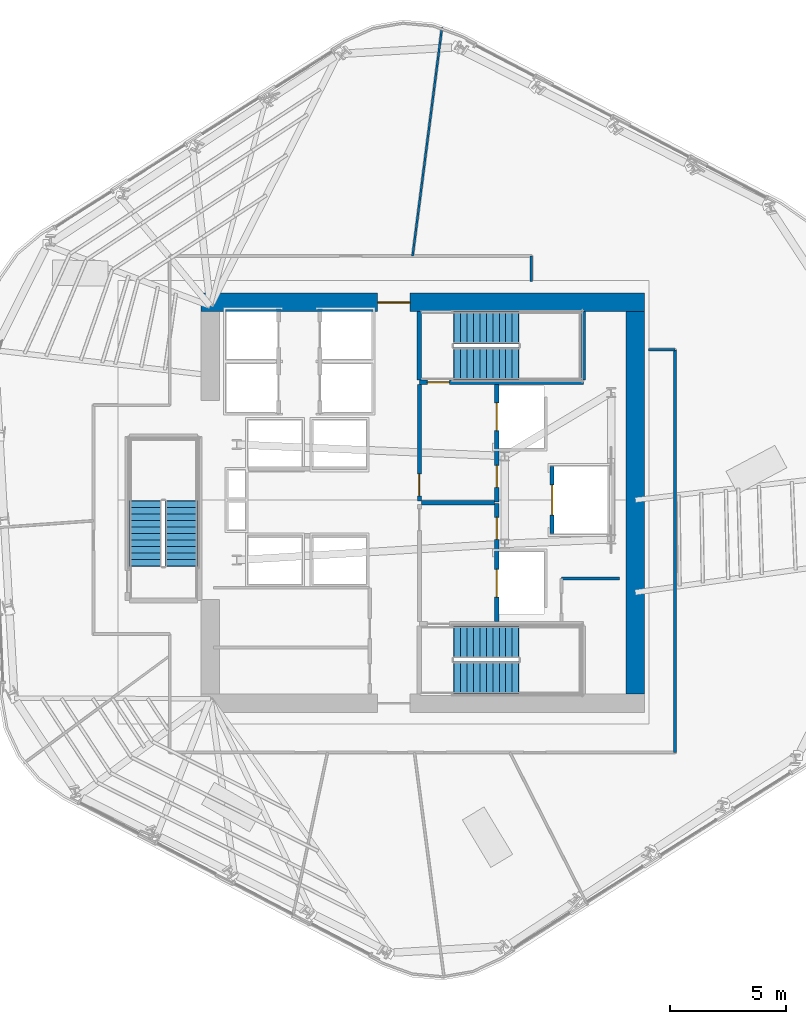
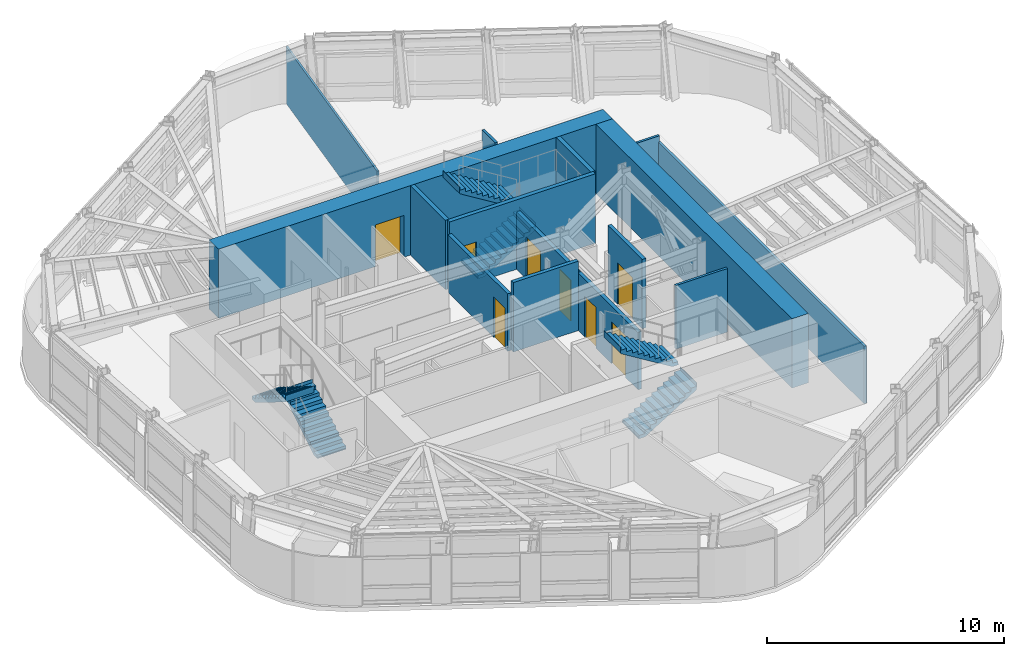
# One storey, part 9 of 15: 15 walls, 8 doors, 6 stair flights, 8 openings, 3 elements without a shape of their own.
"""IFC4 building model written with IfcOpenShell, lengths in metres."""

from ifc_helpers import new_model, si_unit, direction, frame, frame_2d, origin, place, context, subcontext, project, spatial, polyline, rectangle, outline, extrude, material, layer, layer_set, type_object, element, fill, aggregate, save


model = new_model("IFC4")

# Units and contexts
model_context = context("Model", 3, precision=1e-05, world=origin(), true_north=direction((0.0, 1.0)))
body_context = subcontext(model_context, "Body", "Model", "MODEL_VIEW")
ifc_project = project(units=[si_unit("LENGTHUNIT", "METRE"), si_unit("AREAUNIT", "SQUARE_METRE"), si_unit("VOLUMEUNIT", "CUBIC_METRE"), si_unit("PLANEANGLEUNIT", "RADIAN"), si_unit("MASSUNIT", "GRAM", prefix="KILO")], contexts=[model_context])

# Site, building, storey
site_placement = place(None, origin())
site = spatial("IfcSite", under=ifc_project, at=site_placement, CompositionType="ELEMENT")
building_placement = place(site_placement, origin())
building = spatial("IfcBuilding", under=site, at=building_placement, Name="Valkerne Bourse Tower", CompositionType="ELEMENT")
storey_placement = place(building_placement, frame((0.0, 0.0, 162.800048828125)))
storey = spatial("IfcBuildingStorey", under=building, at=storey_placement, Name="L41", CompositionType="ELEMENT", Elevation=162.800048828125)

# Wall, opening, door
ifc_material_1 = material(Name="Concrete C55/67", Category="concrete")
ifc_layer_1 = layer(ifc_material_1, 0.800048828125)
ifc_layer_set_1 = layer_set([ifc_layer_1], Name="Concrete C55/67")
wall_type_1 = type_object("IfcWallType", Name="W-CORE-800", PredefinedType="SHEAR", material=ifc_layer_set_1)
wall_1_placement = place(storey_placement, frame((37.199951171875, 35.550048828125, 0.0), z_axis=(0.0, 0.0, 1.0), x_axis=(1.0, 0.0, 0.0)))
wall_1 = element("IfcWall", 1, at=wall_1_placement, inside=storey, type_object=wall_type_1, Name="L41 Core Shear Wall NORTH", PredefinedType="SHEAR", context=body_context, shape_type="SweptSolid", body=[
    extrude(rectangle(XDim=19.199951171875, YDim=0.800048828125, at=frame_2d((9.60009765625, 0.0))), origin(), (0.0, 0.0, 1.0), 3.579833984375),
])
opening_1_placement = place(wall_1_placement, frame((7.64990234375, 0.0, 0.0)))
opening_1 = element("IfcOpeningElement", 2, at=opening_1_placement, cuts=wall_1, Name="Opening D-PL-1400", PredefinedType="OPENING", context=body_context, shape_type="SweptSolid", body=[
    extrude(rectangle(XDim=1.39990234375, YDim=2.14990234375, at=frame_2d((0.699951171875, 1.074951171875))), frame((0.0, 0.409912109375, 0.0), z_axis=(0.0, -1.0, 0.0), x_axis=(1.0, 0.0, 0.0)), (0.0, 0.0, 1.0), 0.820068359375),
])
ifc_material_2 = material(Name="Galvanised Painted Steel", Category="steel")
door_type_1 = type_object("IfcDoorType", Name="DR-PLT-1400", OperationType="DOUBLE_DOOR_SINGLE_SWING", PredefinedType="DOOR", material=ifc_material_2)
door_1_placement = place(opening_1_placement, origin())
door_1 = element("IfcDoor", 3, at=door_1_placement, inside=storey, type_object=door_type_1, Name="L41 North Passenger Lift Hall Fire Door", OperationType="DOUBLE_DOOR_SINGLE_SWING", OverallHeight=2.14990234375, OverallWidth=1.39990234375, PredefinedType="DOOR", context=body_context, shape_type="SweptSolid", body=[
    extrude(rectangle(XDim=1.39990234375, YDim=2.14990234375, at=frame_2d((0.699951171875, 1.074951171875))), frame((0.0, 0.02490234375, 0.0), z_axis=(0.0, -1.0, 0.0), x_axis=(1.0, 0.0, 0.0)), (0.0, 0.0, 1.0), 0.050048828125),
])
fill(opening_1, door_1)

# Walls
wall_2_placement = place(storey_placement, frame((56.0, 18.60009765625, 0.0), z_axis=(0.0, 0.0, 1.0), x_axis=(0.0, 1.0, 0.0)))
element("IfcWall", 4, at=wall_2_placement, inside=storey, type_object=wall_type_1, Name="L41 Core Shear Wall EAST", PredefinedType="SHEAR", context=body_context, shape_type="SweptSolid", body=[
    extrude(rectangle(XDim=16.5498046875, YDim=0.800048828125, at=frame_2d((8.27490234375, 0.0))), origin(), (0.0, 0.0, 1.0), 3.579833984375),
])
ifc_material_3 = material(Name="Gypsum Board Steel-Stud Partition", Category="steel")
ifc_layer_2 = layer(ifc_material_3, 0.117919921875)
ifc_layer_set_2 = layer_set([ifc_layer_2], Name="Gypsum Board Steel-Stud Partition")
wall_type_2 = type_object("IfcWallType", Name="W-CORR-140", PredefinedType="PARTITIONING", material=ifc_layer_set_2)
wall_3_placement = place(storey_placement, frame((52.800048828125, 23.60009765625, 0.0), z_axis=(0.0, 0.0, 1.0), x_axis=(1.0, 0.0, 0.0)))
element("IfcWall", 5, at=wall_3_placement, inside=storey, type_object=wall_type_2, Name="L41 Core SE South-Bay North Wall", PredefinedType="PARTITIONING", context=body_context, shape_type="SweptSolid", body=[
    extrude(rectangle(XDim=2.52001953125, YDim=0.117919921875, at=frame_2d((1.260009765625, 0.0))), origin(), (0.0, 0.0, 1.0), 3.280029296875),
])
wall_4_placement = place(storey_placement, frame((51.5, 37.56005859375, 0.0), z_axis=(0.0, 0.0, 1.0), x_axis=(0.0, -1.0, 0.0)))
element("IfcWall", 6, at=wall_4_placement, inside=storey, type_object=wall_type_2, Name="L41 Corridor Enclosure Wall", PredefinedType="PARTITIONING", context=body_context, shape_type="SweptSolid", body=[
    extrude(rectangle(XDim=1.10009765625, YDim=0.117919921875, at=frame_2d((0.550048828125, 0.0))), origin(), (0.0, 0.0, 1.0), 3.280029296875),
])
wall_5_placement = place(storey_placement, frame((56.56005859375, 33.5, 0.0), z_axis=(0.0, 0.0, 1.0), x_axis=(1.0, 0.0, 0.0)))
element("IfcWall", 7, at=wall_5_placement, inside=storey, type_object=wall_type_2, Name="L41 Corridor Enclosure Wall", PredefinedType="PARTITIONING", context=body_context, shape_type="SweptSolid", body=[
    extrude(rectangle(XDim=1.159912109375, YDim=0.117919921875, at=frame_2d((0.580078125, 0.0))), origin(), (0.0, 0.0, 1.0), 3.280029296875),
])
wall_6_placement = place(storey_placement, frame((57.719970703125, 33.5, 0.0), z_axis=(0.0, 0.0, 1.0), x_axis=(0.0, -1.0, 0.0)))
element("IfcWall", 8, at=wall_6_placement, inside=storey, type_object=wall_type_2, Name="L41 Corridor Enclosure Wall", PredefinedType="PARTITIONING", context=body_context, shape_type="SweptSolid", body=[
    extrude(rectangle(XDim=17.419921875, YDim=0.117919921875, at=frame_2d((8.7099609375, 0.0))), origin(), (0.0, 0.0, 1.0), 2.962890625),
])
ifc_material_4 = material(Name="Gypsum Fire-Rated Shaftwall", Category="gypsum")
ifc_layer_3 = layer(ifc_material_4, 0.179931640625)
ifc_layer_set_3 = layer_set([ifc_layer_3], Name="Gypsum Fire-Rated Shaftwall")
wall_type_3 = type_object("IfcWallType", Name="W-FSAE-180", PredefinedType="PARTITIONING", material=ifc_layer_set_3)
wall_7_placement = place(storey_placement, frame((46.739990234375, 26.8798828125, 0.0), z_axis=(0.0, 0.0, 1.0), x_axis=(1.0, 0.0, 0.0)))
element("IfcWall", 9, at=wall_7_placement, inside=storey, type_object=wall_type_3, Name="L41 FSAE-1/2 Lobby Dividing Fire Wall", PredefinedType="PARTITIONING", context=body_context, shape_type="SweptSolid", body=[
    extrude(rectangle(XDim=3.169921875, YDim=0.179931640625, at=frame_2d((1.5849609375, 0.0))), origin(), (0.0, 0.0, 1.0), 3.579833984375),
])

# Wall, opening, door
wall_8_placement = place(storey_placement, frame((46.64990234375, 26.9599609375, 0.0), z_axis=(0.0, 0.0, 1.0), x_axis=(0.0, 1.0, 0.0)))
wall_8 = element("IfcWall", 10, at=wall_8_placement, inside=storey, type_object=wall_type_3, Name="L41 FSAE-2 Lobby West Fire Wall", PredefinedType="PARTITIONING", context=body_context, shape_type="SweptSolid", body=[
    extrude(rectangle(XDim=5.0400390625, YDim=0.179931640625, at=frame_2d((2.52001953125, 0.0))), origin(), (0.0, 0.0, 1.0), 2.957763671875),
])
opening_2_placement = place(wall_8_placement, frame((0.219970703125, 0.0, 0.0)))
opening_2 = element("IfcOpeningElement", 11, at=opening_2_placement, cuts=wall_8, Name="Opening D-FS-950", PredefinedType="OPENING", context=body_context, shape_type="SweptSolid", body=[
    extrude(rectangle(XDim=0.949951171875, YDim=2.10009765625, at=frame_2d((0.47509765625, 1.050048828125))), frame((0.0, 0.099853515625, 0.0), z_axis=(0.0, -1.0, 0.0), x_axis=(1.0, 0.0, 0.0)), (0.0, 0.0, 1.0), 0.199951171875),
])
door_type_2 = type_object("IfcDoorType", Name="DR-FSAE-950", OperationType="NOTDEFINED", PredefinedType="DOOR", material=ifc_material_2)
door_2_placement = place(opening_2_placement, origin())
door_2 = element("IfcDoor", 12, at=door_2_placement, inside=storey, type_object=door_type_2, Name="L41 FSAE-2 Hall Link Fire Door", OperationType="SINGLE_SWING_RIGHT", OverallHeight=2.10009765625, OverallWidth=0.949951171875, PredefinedType="DOOR", context=body_context, shape_type="SweptSolid", body=[
    extrude(rectangle(XDim=0.949951171875, YDim=2.10009765625, at=frame_2d((0.47509765625, 1.050048828125))), frame((0.0, 0.02490234375, 0.0), z_axis=(0.0, -1.0, 0.0), x_axis=(1.0, 0.0, 0.0)), (0.0, 0.0, 1.0), 0.050048828125),
])
fill(opening_2, door_2)

# Wall, openings, doors
wall_9_placement = place(storey_placement, frame((50.0, 21.75, 0.0), z_axis=(0.0, 0.0, 1.0), x_axis=(0.0, 1.0, 0.0)))
wall_9 = element("IfcWall", 13, at=wall_9_placement, inside=storey, type_object=wall_type_3, Name="L41 FSAE-1 Lobby & Shaft Front Wall", PredefinedType="PARTITIONING", context=body_context, shape_type="SweptSolid", body=[
    extrude(rectangle(XDim=5.090087890625, YDim=0.179931640625, at=frame_2d((2.544921875, 0.0))), origin(), (0.0, 0.0, 1.0), 2.957763671875),
])
opening_3_placement = place(wall_9_placement, frame((1.050048828125, 0.0, 0.0)))
opening_3 = element("IfcOpeningElement", 14, at=opening_3_placement, cuts=wall_9, Name="Opening LD-1200", PredefinedType="OPENING", context=body_context, shape_type="SweptSolid", body=[
    extrude(rectangle(XDim=1.199951171875, YDim=2.14990234375, at=frame_2d((0.60009765625, 1.074951171875))), frame((0.0, 0.099853515625, 0.0), z_axis=(0.0, -1.0, 0.0), x_axis=(1.0, 0.0, 0.0)), (0.0, 0.0, 1.0), 0.199951171875),
])
opening_4_placement = place(wall_9_placement, frame((3.550048828125, 0.0, 0.0)))
opening_4 = element("IfcOpeningElement", 15, at=opening_4_placement, cuts=wall_9, Name="Opening D-FS-950", PredefinedType="OPENING", context=body_context, shape_type="SweptSolid", body=[
    extrude(rectangle(XDim=0.949951171875, YDim=2.10009765625, at=frame_2d((0.47509765625, 1.050048828125))), frame((0.0, 0.099853515625, 0.0), z_axis=(0.0, -1.0, 0.0), x_axis=(1.0, 0.0, 0.0)), (0.0, 0.0, 1.0), 0.199951171875),
])
door_3_placement = place(opening_4_placement, origin())
door_3 = element("IfcDoor", 16, at=door_3_placement, inside=storey, type_object=door_type_2, Name="L41 FSAE-1 Lobby Corridor Fire Door", OperationType="SINGLE_SWING_RIGHT", OverallHeight=2.10009765625, OverallWidth=0.949951171875, PredefinedType="DOOR", context=body_context, shape_type="SweptSolid", body=[
    extrude(rectangle(XDim=0.949951171875, YDim=2.10009765625, at=frame_2d((0.47509765625, 1.050048828125))), frame((0.0, 0.02490234375, 0.0), z_axis=(0.0, -1.0, 0.0), x_axis=(1.0, 0.0, 0.0)), (0.0, 0.0, 1.0), 0.050048828125),
])
fill(opening_4, door_3)
ifc_material_5 = material(Name="Stainless Steel AISI 316", Category="steel")
door_type_3 = type_object("IfcDoorType", Name="DR-LIFT-1200", OperationType="DOUBLE_DOOR_SLIDING", PredefinedType="DOOR", material=ifc_material_5)
door_4_placement = place(opening_3_placement, origin())
door_4 = element("IfcDoor", 17, at=door_4_placement, inside=storey, type_object=door_type_3, Name="L41 FSAE-1 Firefighting Lift Landing Door", OperationType="DOUBLE_DOOR_SLIDING", OverallHeight=2.14990234375, OverallWidth=1.199951171875, PredefinedType="DOOR", context=body_context, shape_type="SweptSolid", body=[
    extrude(rectangle(XDim=1.199951171875, YDim=2.14990234375, at=frame_2d((0.60009765625, 1.074951171875))), frame((0.0, 0.02490234375, 0.0), z_axis=(0.0, -1.0, 0.0), x_axis=(1.0, 0.0, 0.0)), (0.0, 0.0, 1.0), 0.050048828125),
])
fill(opening_3, door_4)

wall_10_placement = place(storey_placement, frame((50.0, 26.919921875, 0.0), z_axis=(0.0, 0.0, 1.0), x_axis=(0.0, 1.0, 0.0)))
wall_10 = element("IfcWall", 18, at=wall_10_placement, inside=storey, type_object=wall_type_3, Name="L41 FSAE-2 Lobby & Shaft Front Wall", PredefinedType="PARTITIONING", context=body_context, shape_type="SweptSolid", body=[
    extrude(rectangle(XDim=5.080078125, YDim=0.179931640625, at=frame_2d((2.5400390625, 0.0))), origin(), (0.0, 0.0, 1.0), 2.957763671875),
])
opening_5_placement = place(wall_10_placement, frame((3.080078125, 0.0, 0.0)))
opening_5 = element("IfcOpeningElement", 19, at=opening_5_placement, cuts=wall_10, Name="Opening LD-1200", PredefinedType="OPENING", context=body_context, shape_type="SweptSolid", body=[
    extrude(rectangle(XDim=1.199951171875, YDim=2.14990234375, at=frame_2d((0.60009765625, 1.074951171875))), frame((0.0, 0.099853515625, 0.0), z_axis=(0.0, -1.0, 0.0), x_axis=(1.0, 0.0, 0.0)), (0.0, 0.0, 1.0), 0.199951171875),
])
opening_6_placement = place(wall_10_placement, frame((0.6298828125, 0.0, 0.0)))
opening_6 = element("IfcOpeningElement", 20, at=opening_6_placement, cuts=wall_10, Name="Opening D-FS-950", PredefinedType="OPENING", context=body_context, shape_type="SweptSolid", body=[
    extrude(rectangle(XDim=0.949951171875, YDim=2.10009765625, at=frame_2d((0.47509765625, 1.050048828125))), frame((0.0, 0.099853515625, 0.0), z_axis=(0.0, -1.0, 0.0), x_axis=(1.0, 0.0, 0.0)), (0.0, 0.0, 1.0), 0.199951171875),
])
door_5_placement = place(opening_6_placement, origin())
door_5 = element("IfcDoor", 21, at=door_5_placement, inside=storey, type_object=door_type_2, Name="L41 FSAE-2 Lobby Corridor Fire Door", OperationType="SINGLE_SWING_RIGHT", OverallHeight=2.10009765625, OverallWidth=0.949951171875, PredefinedType="DOOR", context=body_context, shape_type="SweptSolid", body=[
    extrude(rectangle(XDim=0.949951171875, YDim=2.10009765625, at=frame_2d((0.47509765625, 1.050048828125))), frame((0.0, 0.02490234375, 0.0), z_axis=(0.0, -1.0, 0.0), x_axis=(1.0, 0.0, 0.0)), (0.0, 0.0, 1.0), 0.050048828125),
])
fill(opening_6, door_5)
door_6_placement = place(opening_5_placement, origin())
door_6 = element("IfcDoor", 22, at=door_6_placement, inside=storey, type_object=door_type_3, Name="L41 FSAE-2 Firefighting Lift Landing Door", OperationType="DOUBLE_DOOR_SLIDING", OverallHeight=2.14990234375, OverallWidth=1.199951171875, PredefinedType="DOOR", context=body_context, shape_type="SweptSolid", body=[
    extrude(rectangle(XDim=1.199951171875, YDim=2.14990234375, at=frame_2d((0.60009765625, 1.074951171875))), frame((0.0, 0.02490234375, 0.0), z_axis=(0.0, -1.0, 0.0), x_axis=(1.0, 0.0, 0.0)), (0.0, 0.0, 1.0), 0.050048828125),
])
fill(opening_5, door_6)

# Wall, opening, door
ifc_material_6 = material(Name="CMU Blockwork Masonry 200mm", Category="masonry")
ifc_layer_4 = layer(ifc_material_6, 0.179931640625)
ifc_layer_set_4 = layer_set([ifc_layer_4], Name="CMU Blockwork Masonry 200mm")
wall_type_4 = type_object("IfcWallType", Name="W-LFT-180", PredefinedType="SOLIDWALL", material=ifc_layer_set_4)
wall_11_placement = place(storey_placement, frame((52.39990234375, 25.550048828125, 0.0), z_axis=(0.0, 0.0, 1.0), x_axis=(0.0, 1.0, 0.0)))
wall_11 = element("IfcWall", 23, at=wall_11_placement, inside=storey, type_object=wall_type_4, Name="L41 Service Lift SV-1 Front Wall", PredefinedType="SOLIDWALL", context=body_context, shape_type="SweptSolid", body=[
    extrude(rectangle(XDim=2.89990234375, YDim=0.179931640625, at=frame_2d((1.449951171875, 0.0))), origin(), (0.0, 0.0, 1.0), 3.579833984375),
])
opening_7_placement = place(wall_11_placement, frame((0.800048828125, 0.0, 0.0)))
opening_7 = element("IfcOpeningElement", 24, at=opening_7_placement, cuts=wall_11, Name="Opening LD-1300", PredefinedType="OPENING", context=body_context, shape_type="SweptSolid", body=[
    extrude(rectangle(XDim=1.300048828125, YDim=2.14990234375, at=frame_2d((0.64990234375, 1.074951171875))), frame((0.0, 0.099853515625, 0.0), z_axis=(0.0, -1.0, 0.0), x_axis=(1.0, 0.0, 0.0)), (0.0, 0.0, 1.0), 0.199951171875),
])
door_type_4 = type_object("IfcDoorType", Name="DR-LIFT-1300", OperationType="DOUBLE_DOOR_SLIDING", PredefinedType="DOOR", material=ifc_material_5)
door_7_placement = place(opening_7_placement, origin())
door_7 = element("IfcDoor", 25, at=door_7_placement, inside=storey, type_object=door_type_4, Name="L41 Service Lift SV-1 Landing Door", OperationType="DOUBLE_DOOR_SLIDING", OverallHeight=2.14990234375, OverallWidth=1.300048828125, PredefinedType="DOOR", context=body_context, shape_type="SweptSolid", body=[
    extrude(rectangle(XDim=1.300048828125, YDim=2.14990234375, at=frame_2d((0.64990234375, 1.074951171875))), frame((0.0, 0.02490234375, 0.0), z_axis=(0.0, -1.0, 0.0), x_axis=(1.0, 0.0, 0.0)), (0.0, 0.0, 1.0), 0.050048828125),
])
fill(opening_7, door_7)

# Wall
ifc_layer_5 = layer(ifc_material_3, 0.092041015625)
ifc_layer_set_5 = layer_set([ifc_layer_5], Name="Gypsum Board Steel-Stud Partition")
wall_type_5 = type_object("IfcWallType", Name="W-PART-115", PredefinedType="PARTITIONING", material=ifc_layer_set_5)
wall_12_placement = place(storey_placement, frame((46.3583984375, 37.56494140625, 0.0), z_axis=(0.0, 0.0, 1.0), x_axis=(0.127544797482, 0.991832810828, 0.0)))
element("IfcWall", 26, at=wall_12_placement, inside=storey, type_object=wall_type_5, Name="L41 Suite Partition P04", PredefinedType="PARTITIONING", context=body_context, shape_type="SweptSolid", body=[
    extrude(rectangle(XDim=9.970947265625, YDim=0.092041015625, at=frame_2d((4.9853515625, 0.0))), origin(), (0.0, 0.0, 1.0), 2.942626953125),
])

# Wall, opening, door
ifc_material_7 = material(Name="Concrete C40/50", Category="concrete")
ifc_layer_6 = layer(ifc_material_7, 0.199951171875)
ifc_layer_set_6 = layer_set([ifc_layer_6], Name="Concrete C40/50")
wall_type_6 = type_object("IfcWallType", Name="W-SHF-200", PredefinedType="SHEAR", material=ifc_layer_set_6)
wall_13_placement = place(storey_placement, frame((46.64990234375, 32.10009765625, 0.0), z_axis=(0.0, 0.0, 1.0), x_axis=(1.0, 0.0, 0.0)))
wall_13 = element("IfcWall", 27, at=wall_13_placement, inside=storey, type_object=wall_type_6, Name="L41 Exit Stair ST-2 Structural Shaft Wall South", PredefinedType="SHEAR", context=body_context, shape_type="SweptSolid", body=[
    extrude(rectangle(XDim=7.10009765625, YDim=0.199951171875, at=frame_2d((3.550048828125, 0.0))), origin(), (0.0, 0.0, 1.0), 3.579833984375),
])
opening_8_placement = place(wall_13_placement, frame((0.35009765625, 0.0, 0.0)))
opening_8 = element("IfcOpeningElement", 28, at=opening_8_placement, cuts=wall_13, Name="Opening D-ST-950", PredefinedType="OPENING", context=body_context, shape_type="SweptSolid", body=[
    extrude(rectangle(XDim=0.949951171875, YDim=2.10009765625, at=frame_2d((0.47509765625, 1.050048828125))), frame((0.0, 0.10986328125, 0.0), z_axis=(0.0, -1.0, 0.0), x_axis=(1.0, 0.0, 0.0)), (0.0, 0.0, 1.0), 0.219970703125),
])
door_type_5 = type_object("IfcDoorType", Name="DR-STAIR-950", OperationType="NOTDEFINED", PredefinedType="DOOR", material=ifc_material_2)
door_8_placement = place(opening_8_placement, origin())
door_8 = element("IfcDoor", 29, at=door_8_placement, inside=storey, type_object=door_type_5, Name="L41 Exit Stair ST-2 Door", OperationType="SINGLE_SWING_LEFT", OverallHeight=2.10009765625, OverallWidth=0.949951171875, PredefinedType="DOOR", context=body_context, shape_type="SweptSolid", body=[
    extrude(rectangle(XDim=0.949951171875, YDim=2.10009765625, at=frame_2d((0.47509765625, 1.050048828125))), frame((0.0, 0.02490234375, 0.0), z_axis=(0.0, -1.0, 0.0), x_axis=(1.0, 0.0, 0.0)), (0.0, 0.0, 1.0), 0.050048828125),
])
fill(opening_8, door_8)

# Walls
for number, where, z_axis, x_axis, name in (
    (30, (46.64990234375, 32.199951171875, 0.0), (0.0, 0.0, 1.0), (0.0, 1.0, 0.0), "L41 Exit Stair ST-2 Structural Shaft Wall West"),
    (31, (53.75, 32.199951171875, 0.0), (0.0, 0.0, 1.0), (0.0, 1.0, 0.0), "L41 Exit Stair ST-2 Structural Shaft Wall East"),
):
    element("IfcWall", number, at=place(storey_placement, frame(where, z_axis=z_axis, x_axis=x_axis)), inside=storey, type_object=wall_type_6, Name=name, PredefinedType="SHEAR", context=body_context, shape_type="SweptSolid", body=[
        extrude(rectangle(XDim=2.949951171875, YDim=0.199951171875, at=frame_2d((1.47509765625, 0.0))), origin(), (0.0, 0.0, 1.0), 3.579833984375),
    ])

# Stair, stair flights
stair_type = type_object("IfcStairType", Name="ST-CORE-1400", PredefinedType="HALF_TURN_STAIR", material=ifc_material_7)
stair_1_placement = place(storey_placement, origin())
stair_1 = element("IfcStair", 32, at=stair_1_placement, inside=storey, type_object=stair_type, Name="L41 ST-1", PredefinedType="HALF_TURN_STAIR")
stair_flight_type = type_object("IfcStairFlightType", Name="STF-CORE-1400", PredefinedType="STRAIGHT", material=ifc_material_7)
stair_flight_1_placement = place(storey_placement, frame((48.14990234375, 19.300048828125, 0.0), z_axis=(0.0, 0.0, 1.0), x_axis=(1.0, 0.0, 0.0)))
stair_flight_1 = element("IfcStairFlight", 33, at=stair_flight_1_placement, type_object=stair_flight_type, Name="ST-1 flight 1", NumberOfRisers=11, NumberOfTreads=10, PredefinedType="STRAIGHT", RiserHeight=0.172727273, TreadLength=0.28, context=body_context, shape_type="SweptSolid", body=[
    extrude(outline(polyline([(-0.02001953125, 0.0), (-0.02001953125, 0.044921875), (0.0, 0.044921875), (0.0, 0.172607421875), (0.280029296875, 0.172607421875), (0.280029296875, 0.345458984375), (0.56005859375, 0.345458984375), (0.56005859375, 0.51806640625), (0.840087890625, 0.51806640625), (0.840087890625, 0.69091796875), (1.1201171875, 0.69091796875), (1.1201171875, 0.863525390625), (1.39990234375, 0.863525390625), (1.39990234375, 1.036376953125), (1.679931640625, 1.036376953125), (1.679931640625, 1.208984375), (1.9599609375, 1.208984375), (1.9599609375, 1.3818359375), (2.239990234375, 1.3818359375), (2.239990234375, 1.554443359375), (2.52001953125, 1.554443359375), (2.52001953125, 1.727294921875), (2.800048828125, 1.727294921875), (2.800048828125, 1.89990234375), (2.820068359375, 1.89990234375), (2.820068359375, 1.780029296875), (2.800048828125, 1.551025390625), (0.285400390625, 0.0), (-0.02001953125, 0.0)])), frame((0.0, 0.699951171875, 0.0), z_axis=(0.0, -1.0, 0.0), x_axis=(1.0, 0.0, 0.0)), (0.0, 0.0, 1.0), 1.39990234375),
])
stair_flight_2_placement = place(storey_placement, frame((50.949951171875, 20.85009765625, 1.89990234375), z_axis=(0.0, 0.0, 1.0), x_axis=(-1.0, 0.0, 0.0)))
stair_flight_2 = element("IfcStairFlight", 34, at=stair_flight_2_placement, type_object=stair_flight_type, Name="ST-1 flight 2", NumberOfRisers=11, NumberOfTreads=10, PredefinedType="STRAIGHT", RiserHeight=0.172727273, TreadLength=0.28, context=body_context, shape_type="SweptSolid", body=[
    extrude(outline(polyline([(-0.02001953125, 0.0), (-0.02001953125, 0.044921875), (0.0, 0.044921875), (0.0, 0.172607421875), (0.280029296875, 0.172607421875), (0.280029296875, 0.345458984375), (0.56005859375, 0.345458984375), (0.56005859375, 0.51806640625), (0.840087890625, 0.51806640625), (0.840087890625, 0.69091796875), (1.1201171875, 0.69091796875), (1.1201171875, 0.863525390625), (1.39990234375, 0.863525390625), (1.39990234375, 1.036376953125), (1.679931640625, 1.036376953125), (1.679931640625, 1.208984375), (1.9599609375, 1.208984375), (1.9599609375, 1.3818359375), (2.239990234375, 1.3818359375), (2.239990234375, 1.554443359375), (2.52001953125, 1.554443359375), (2.52001953125, 1.727294921875), (2.800048828125, 1.727294921875), (2.800048828125, 1.89990234375), (2.820068359375, 1.89990234375), (2.820068359375, 1.780029296875), (2.800048828125, 1.551025390625), (0.285400390625, 0.0), (-0.02001953125, 0.0)])), frame((0.0, 0.699951171875, 0.0), z_axis=(0.0, -1.0, 0.0), x_axis=(1.0, 0.0, 0.0)), (0.0, 0.0, 1.0), 1.39990234375),
])
aggregate(stair_1, [stair_flight_1, stair_flight_2])

stair_2_placement = place(storey_placement, origin())
stair_2 = element("IfcStair", 35, at=stair_2_placement, inside=storey, type_object=stair_type, Name="L41 ST-2", PredefinedType="HALF_TURN_STAIR")
stair_flight_3_placement = place(storey_placement, frame((48.14990234375, 32.89990234375, 0.0), z_axis=(0.0, 0.0, 1.0), x_axis=(1.0, 0.0, 0.0)))
stair_flight_3 = element("IfcStairFlight", 36, at=stair_flight_3_placement, type_object=stair_flight_type, Name="ST-2 flight 1", NumberOfRisers=11, NumberOfTreads=10, PredefinedType="STRAIGHT", RiserHeight=0.172727273, TreadLength=0.28, context=body_context, shape_type="SweptSolid", body=[
    extrude(outline(polyline([(-0.02001953125, 0.0), (-0.02001953125, 0.044921875), (0.0, 0.044921875), (0.0, 0.172607421875), (0.280029296875, 0.172607421875), (0.280029296875, 0.345458984375), (0.56005859375, 0.345458984375), (0.56005859375, 0.51806640625), (0.840087890625, 0.51806640625), (0.840087890625, 0.69091796875), (1.1201171875, 0.69091796875), (1.1201171875, 0.863525390625), (1.39990234375, 0.863525390625), (1.39990234375, 1.036376953125), (1.679931640625, 1.036376953125), (1.679931640625, 1.208984375), (1.9599609375, 1.208984375), (1.9599609375, 1.3818359375), (2.239990234375, 1.3818359375), (2.239990234375, 1.554443359375), (2.52001953125, 1.554443359375), (2.52001953125, 1.727294921875), (2.800048828125, 1.727294921875), (2.800048828125, 1.89990234375), (2.820068359375, 1.89990234375), (2.820068359375, 1.780029296875), (2.800048828125, 1.551025390625), (0.285400390625, 0.0), (-0.02001953125, 0.0)])), frame((0.0, 0.699951171875, 0.0), z_axis=(0.0, -1.0, 0.0), x_axis=(1.0, 0.0, 0.0)), (0.0, 0.0, 1.0), 1.39990234375),
])
stair_flight_4_placement = place(storey_placement, frame((50.949951171875, 34.449951171875, 1.89990234375), z_axis=(0.0, 0.0, 1.0), x_axis=(-1.0, 0.0, 0.0)))
stair_flight_4 = element("IfcStairFlight", 37, at=stair_flight_4_placement, type_object=stair_flight_type, Name="ST-2 flight 2", NumberOfRisers=11, NumberOfTreads=10, PredefinedType="STRAIGHT", RiserHeight=0.172727273, TreadLength=0.28, context=body_context, shape_type="SweptSolid", body=[
    extrude(outline(polyline([(-0.02001953125, 0.0), (-0.02001953125, 0.044921875), (0.0, 0.044921875), (0.0, 0.172607421875), (0.280029296875, 0.172607421875), (0.280029296875, 0.345458984375), (0.56005859375, 0.345458984375), (0.56005859375, 0.51806640625), (0.840087890625, 0.51806640625), (0.840087890625, 0.69091796875), (1.1201171875, 0.69091796875), (1.1201171875, 0.863525390625), (1.39990234375, 0.863525390625), (1.39990234375, 1.036376953125), (1.679931640625, 1.036376953125), (1.679931640625, 1.208984375), (1.9599609375, 1.208984375), (1.9599609375, 1.3818359375), (2.239990234375, 1.3818359375), (2.239990234375, 1.554443359375), (2.52001953125, 1.554443359375), (2.52001953125, 1.727294921875), (2.800048828125, 1.727294921875), (2.800048828125, 1.89990234375), (2.820068359375, 1.89990234375), (2.820068359375, 1.780029296875), (2.800048828125, 1.551025390625), (0.285400390625, 0.0), (-0.02001953125, 0.0)])), frame((0.0, 0.699951171875, 0.0), z_axis=(0.0, -1.0, 0.0), x_axis=(1.0, 0.0, 0.0)), (0.0, 0.0, 1.0), 1.39990234375),
])
aggregate(stair_2, [stair_flight_3, stair_flight_4])

stair_3_placement = place(storey_placement, origin())
stair_3 = element("IfcStair", 38, at=stair_3_placement, inside=storey, type_object=stair_type, Name="L41 ST-3", PredefinedType="HALF_TURN_STAIR")
stair_flight_5_placement = place(storey_placement, frame((36.35009765625, 24.14990234375, 0.0), z_axis=(0.0, 0.0, 1.0), x_axis=(0.0, 1.0, 0.0)))
stair_flight_5 = element("IfcStairFlight", 39, at=stair_flight_5_placement, type_object=stair_flight_type, Name="ST-3 flight 1", NumberOfRisers=11, NumberOfTreads=10, PredefinedType="STRAIGHT", RiserHeight=0.172727273, TreadLength=0.28, context=body_context, shape_type="SweptSolid", body=[
    extrude(outline(polyline([(-0.02001953125, 0.0), (-0.02001953125, 0.044921875), (0.0, 0.044921875), (0.0, 0.172607421875), (0.280029296875, 0.172607421875), (0.280029296875, 0.345458984375), (0.56005859375, 0.345458984375), (0.56005859375, 0.51806640625), (0.840087890625, 0.51806640625), (0.840087890625, 0.69091796875), (1.1201171875, 0.69091796875), (1.1201171875, 0.863525390625), (1.39990234375, 0.863525390625), (1.39990234375, 1.036376953125), (1.679931640625, 1.036376953125), (1.679931640625, 1.208984375), (1.9599609375, 1.208984375), (1.9599609375, 1.3818359375), (2.239990234375, 1.3818359375), (2.239990234375, 1.554443359375), (2.52001953125, 1.554443359375), (2.52001953125, 1.727294921875), (2.800048828125, 1.727294921875), (2.800048828125, 1.89990234375), (2.820068359375, 1.89990234375), (2.820068359375, 1.780029296875), (2.800048828125, 1.551025390625), (0.285400390625, 0.0), (-0.02001953125, 0.0)])), frame((0.0, 0.699951171875, 0.0), z_axis=(0.0, -1.0, 0.0), x_axis=(1.0, 0.0, 0.0)), (0.0, 0.0, 1.0), 1.39990234375),
])
stair_flight_6_placement = place(storey_placement, frame((34.800048828125, 26.949951171875, 1.89990234375), z_axis=(0.0, 0.0, 1.0), x_axis=(0.0, -1.0, 0.0)))
stair_flight_6 = element("IfcStairFlight", 40, at=stair_flight_6_placement, type_object=stair_flight_type, Name="ST-3 flight 2", NumberOfRisers=11, NumberOfTreads=10, PredefinedType="STRAIGHT", RiserHeight=0.172727273, TreadLength=0.28, context=body_context, shape_type="SweptSolid", body=[
    extrude(outline(polyline([(-0.02001953125, 0.0), (-0.02001953125, 0.044921875), (0.0, 0.044921875), (0.0, 0.172607421875), (0.280029296875, 0.172607421875), (0.280029296875, 0.345458984375), (0.56005859375, 0.345458984375), (0.56005859375, 0.51806640625), (0.840087890625, 0.51806640625), (0.840087890625, 0.69091796875), (1.1201171875, 0.69091796875), (1.1201171875, 0.863525390625), (1.39990234375, 0.863525390625), (1.39990234375, 1.036376953125), (1.679931640625, 1.036376953125), (1.679931640625, 1.208984375), (1.9599609375, 1.208984375), (1.9599609375, 1.3818359375), (2.239990234375, 1.3818359375), (2.239990234375, 1.554443359375), (2.52001953125, 1.554443359375), (2.52001953125, 1.727294921875), (2.800048828125, 1.727294921875), (2.800048828125, 1.89990234375), (2.820068359375, 1.89990234375), (2.820068359375, 1.780029296875), (2.800048828125, 1.551025390625), (0.285400390625, 0.0), (-0.02001953125, 0.0)])), frame((0.0, 0.699951171875, 0.0), z_axis=(0.0, -1.0, 0.0), x_axis=(1.0, 0.0, 0.0)), (0.0, 0.0, 1.0), 1.39990234375),
])
aggregate(stair_3, [stair_flight_5, stair_flight_6])

save(model, "model.ifc")
